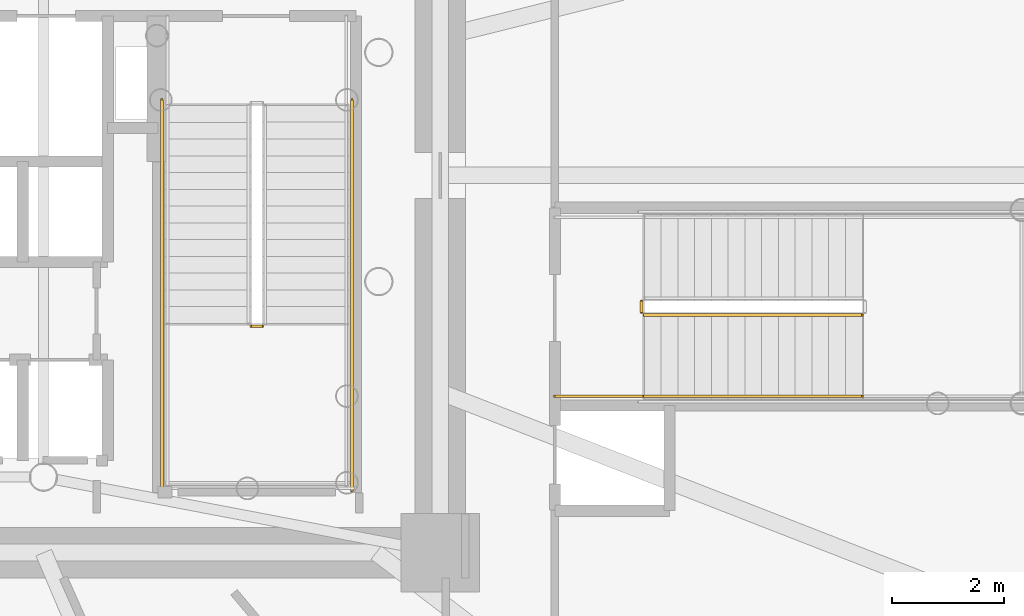
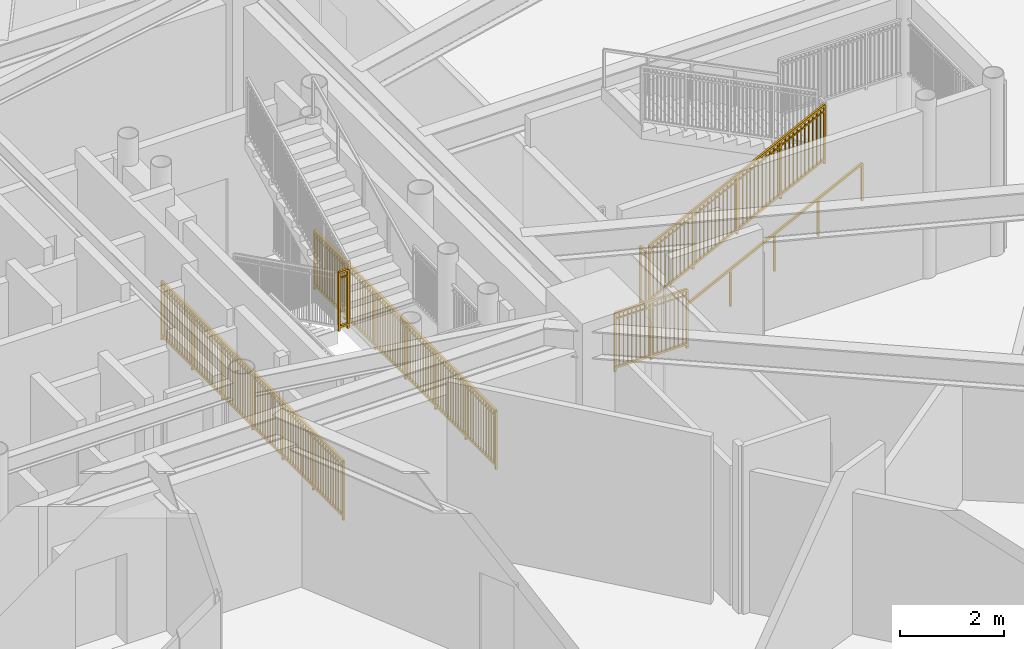
# One storey, part 24 of 28: 7 railings.
"""IFC4 building model written with IfcOpenShell, lengths in metres."""

import ifcopenshell
import ifcopenshell.guid

model = None  # the IFC model being written
_history = None  # IfcOwnerHistory: only IFC2X3 demands one
_inside = {}  # id of a spatial element -> (the spatial element, [elements in it])
_under = {}  # id of a project, library or spatial element -> (it, [spatial elements below it])
_declared = {}  # id of a project -> (the project, [libraries it declares])
_typed = {}  # id of a type object -> (the type object, [elements of that type])
_made_of = {}  # id of a material, layer set ... -> (it, [elements and type objects made of it])


def new_model(schema):
    """Start an empty IFC model of exactly this schema.

    Asked for "IFC4X3", IfcOpenShell would pick the latest addendum, in which some entities
    have other attributes; the version numbers below select the first issue.
    IFC2X3 requires an IfcOwnerHistory on every rooted entity: one is made here for all.
    """
    global model, _history
    if schema == "IFC4X3":
        model = ifcopenshell.file(schema_version=(4, 3, 0, 0))
    else:
        model = ifcopenshell.file(schema=schema)
    _inside.clear()
    _under.clear()
    _declared.clear()
    _typed.clear()
    _made_of.clear()
    _history = None
    if model.schema == "IFC2X3":
        org = make("IfcOrganization", Name="unknown")
        user = make(
            "IfcPersonAndOrganization",
            ThePerson=make("IfcPerson", FamilyName="unknown"),
            TheOrganization=org,
        )
        app = make(
            "IfcApplication",
            ApplicationDeveloper=org,
            Version="unknown",
            ApplicationFullName="unknown",
            ApplicationIdentifier="unknown",
        )
        _history = make(
            "IfcOwnerHistory",
            OwningUser=user,
            OwningApplication=app,
            ChangeAction="ADDED",
            CreationDate=0,
        )
    return model


def make(cls, **values):
    """One entity of the class cls with the attributes given. An attribute that is None is left unset."""
    return model.create_entity(
        cls, **{name: value for name, value in values.items() if value is not None}
    )


def rooted(cls, **values):
    """An entity with a GlobalId (a new one), such as an element, a storey or a relation."""
    return make(cls, GlobalId=ifcopenshell.guid.new(), OwnerHistory=_history, **values)


def si_unit(unit_type, name, prefix=None):
    """IfcSIUnit, for example si_unit("LENGTHUNIT", "METRE", prefix="MILLI")."""
    return make("IfcSIUnit", UnitType=unit_type, Prefix=prefix, Name=name)


def assignment(units):
    """IfcUnitAssignment: the units of a project."""
    return None if units is None else make("IfcUnitAssignment", Units=units)


def point(xyz):
    """IfcCartesianPoint."""
    return None if xyz is None else make("IfcCartesianPoint", Coordinates=xyz)


def direction(xyz):
    """IfcDirection."""
    return None if xyz is None else make("IfcDirection", DirectionRatios=xyz)


def frame(location, z_axis=None, x_axis=None):
    """IfcAxis2Placement3D, a coordinate frame: its origin and axes. An axis left out is left unset."""
    return make(
        "IfcAxis2Placement3D",
        Location=point(location),
        Axis=direction(z_axis),
        RefDirection=direction(x_axis),
    )


def frame_2d(location, x_axis=None):
    """IfcAxis2Placement2D, a coordinate frame in the plane: its origin and x axis."""
    return make(
        "IfcAxis2Placement2D", Location=point(location), RefDirection=direction(x_axis)
    )


def origin():
    """The frame at (0, 0, 0) with its axes left unset."""
    return frame((0.0, 0.0, 0.0))


def origin_2d():
    """The frame at (0, 0) in the plane with its x axis left unset."""
    return frame_2d((0.0, 0.0))


def place(relative_to, where):
    """IfcLocalPlacement: puts the frame where relative to a parent placement (None: the world)."""
    return make(
        "IfcLocalPlacement", PlacementRelTo=relative_to, RelativePlacement=where
    )


def context(
    kind, dimensions, precision=None, world=None, true_north=None, identifier=None
):
    """IfcGeometricRepresentationContext, for example the 3D "Model" context."""
    return make(
        "IfcGeometricRepresentationContext",
        ContextIdentifier=identifier,
        ContextType=kind,
        CoordinateSpaceDimension=dimensions,
        Precision=precision,
        WorldCoordinateSystem=world,
        TrueNorth=true_north,
    )


def subcontext(parent, identifier, kind, view, scale=None):
    """IfcGeometricRepresentationSubContext, for example "Body" below "Model"."""
    return make(
        "IfcGeometricRepresentationSubContext",
        ContextIdentifier=identifier,
        ContextType=kind,
        ParentContext=parent,
        TargetScale=scale,
        TargetView=view,
    )


def project(units=None, contexts=None):
    """IfcProject with its units and contexts."""
    return rooted(
        "IfcProject",
        Name="project",
        RepresentationContexts=contexts,
        UnitsInContext=assignment(units),
    )


def spatial(cls, under=None, at=None, **own):
    """A site, building, storey or space (cls), placed at a placement, below another one or the project."""
    s = rooted(cls, ObjectPlacement=at, **own)
    if under is not None:
        _under.setdefault(under.id(), (under, []))[1].append(s)
    return s


def profile(cls, at=None, kind="AREA", **sizes):
    """A parametric profile (cls). Its sizes go by their IFC names, for example OverallWidth=200.0."""
    return make(cls, ProfileType=kind, Position=at, **sizes)


def rectangle(**sizes):
    """IfcRectangleProfileDef."""
    return profile("IfcRectangleProfileDef", **sizes)


def extrude(swept, where, along, depth):
    """IfcExtrudedAreaSolid: the profile swept, set in the frame where, extruded along a direction by depth."""
    return make(
        "IfcExtrudedAreaSolid",
        SweptArea=swept,
        Position=where,
        ExtrudedDirection=direction(along),
        Depth=depth,
    )


def shape(context_of_items, identifier, shape_type, items):
    """IfcShapeRepresentation: the items that make up one representation, for example the "Body"."""
    return make(
        "IfcShapeRepresentation",
        ContextOfItems=context_of_items,
        RepresentationIdentifier=identifier,
        RepresentationType=shape_type,
        Items=items,
    )


def source(mapping_origin, context_of_items, identifier, shape_type, items):
    """IfcRepresentationMap: a shape defined once, which mapped items show again and again."""
    return make(
        "IfcRepresentationMap",
        MappingOrigin=mapping_origin,
        MappedRepresentation=shape(context_of_items, identifier, shape_type, items),
    )


def transform(
    local_origin,
    x_axis=None,
    y_axis=None,
    z_axis=None,
    scale=None,
    scale2=None,
    scale3=None,
    uniform=True,
):
    """IfcCartesianTransformationOperator3D, or its non-uniform kind. x_axis, y_axis, z_axis: its Axis1, 2, 3."""
    if uniform:
        return make(
            "IfcCartesianTransformationOperator3D",
            Axis1=direction(x_axis),
            Axis2=direction(y_axis),
            LocalOrigin=point(local_origin),
            Scale=scale,
            Axis3=direction(z_axis),
        )
    return make(
        "IfcCartesianTransformationOperator3DnonUniform",
        Axis1=direction(x_axis),
        Axis2=direction(y_axis),
        LocalOrigin=point(local_origin),
        Scale=scale,
        Axis3=direction(z_axis),
        Scale2=scale2,
        Scale3=scale3,
    )


def mapped(mapping_source, mapping_target):
    """IfcMappedItem: shows the shape of a source again, moved by a transform."""
    return make(
        "IfcMappedItem", MappingSource=mapping_source, MappingTarget=mapping_target
    )


def material(Name=None, Category=None):
    """IfcMaterial."""
    return make("IfcMaterial", Name=Name, Category=Category)


def made_of(thing, what):
    """Note that an element or type object is made of a material, layer set ...; save() writes the relation."""
    if what is not None:
        _made_of.setdefault(what.id(), (what, []))[1].append(thing)
    return thing


def type_object(cls, material=None, **own):
    """A type object (cls), such as IfcWallType, which elements share."""
    return made_of(rooted(cls, **own), material)


def element(
    cls,
    number,
    at=None,
    inside=None,
    cuts=None,
    type_object=None,
    material=None,
    context=None,
    identifier="Body",
    shape_type=None,
    held_by="IfcProductDefinitionShape",
    body=None,
    shapes=None,
    **own,
):
    """One element of the class cls, such as IfcWall. Its Tag is "e" and its number.

    at: its placement. inside: the storey or other place that contains it. cuts: it is an
    opening in that element (IfcRelVoidsElement). A single representation is given by context,
    identifier, shape_type and body (its items); several are given by shapes. held_by: the class
    of the entity that holds the representations. save() writes the other relations.
    """
    e = rooted(cls, Tag="e%d" % number, ObjectPlacement=at, **own)
    if body is not None:
        shapes = [shape(context, identifier, shape_type, body)]
    if shapes is not None:
        e.Representation = make(held_by, Representations=shapes)
    if inside is not None:
        _inside.setdefault(inside.id(), (inside, []))[1].append(e)
    if cuts is not None:
        rooted(
            "IfcRelVoidsElement", RelatingBuildingElement=cuts, RelatedOpeningElement=e
        )
    if type_object is not None:
        _typed.setdefault(type_object.id(), (type_object, []))[1].append(e)
    return made_of(e, material)


def aggregate(whole, parts):
    """IfcRelAggregates: a whole, such as a stair, and the parts it consists of."""
    return rooted("IfcRelAggregates", RelatingObject=whole, RelatedObjects=parts)


def save(model, path):
    """Write the relations noted so far, then the file.

    IfcRelAggregates (storeys below a building ...), IfcRelContainedInSpatialStructure (elements
    in a storey), IfcRelDefinesByType, IfcRelAssociatesMaterial and IfcRelDeclares: one each for
    every whole, place, type object, material and project.
    """
    for whole, parts in _under.values():
        aggregate(whole, parts)
    for where, things in _inside.values():
        rooted(
            "IfcRelContainedInSpatialStructure",
            RelatedElements=things,
            RelatingStructure=where,
        )
    for kind, things in _typed.values():
        rooted("IfcRelDefinesByType", RelatedObjects=things, RelatingType=kind)
    for what, things in _made_of.values():
        rooted("IfcRelAssociatesMaterial", RelatedObjects=things, RelatingMaterial=what)
    for by, libraries in _declared.values():
        rooted("IfcRelDeclares", RelatingContext=by, RelatedDefinitions=libraries)
    model.write(path)


model = new_model("IFC4")

# Units and contexts
model_context = context("Model", 3, precision=1e-05, world=origin(), true_north=direction((0.0, 1.0)))
body_context = subcontext(model_context, "Body", "Model", "MODEL_VIEW")
ifc_project = project(units=[si_unit("LENGTHUNIT", "METRE"), si_unit("AREAUNIT", "SQUARE_METRE"), si_unit("VOLUMEUNIT", "CUBIC_METRE"), si_unit("PLANEANGLEUNIT", "RADIAN"), si_unit("MASSUNIT", "GRAM", prefix="KILO")], contexts=[model_context])

# Site, building, storey
site_placement = place(None, origin())
site = spatial("IfcSite", under=ifc_project, at=site_placement, CompositionType="ELEMENT")
building_placement = place(site_placement, origin())
building = spatial("IfcBuilding", under=site, at=building_placement, Name="Linh Dai School and Residence Tower", CompositionType="ELEMENT")
storey_placement = place(building_placement, frame((0.0, 0.0, 36.60009765625)))
storey = spatial("IfcBuildingStorey", under=building, at=storey_placement, Name="L08", CompositionType="ELEMENT", Elevation=36.60009765625)

# Railings
ifc_material_1 = material(Name="Structural Steel S355JR", Category="steel")
railing_type_1 = type_object("IfcRailingType", Name="RL-ST-GUARD-1400", PredefinedType="GUARDRAIL", material=ifc_material_1)
shared_shape_1 = source(origin(), body_context, "Body", "SweptSolid", [
    extrude(rectangle(XDim=0.048095703125, YDim=0.048095703125, at=origin_2d()), frame((0.0, 0.0, 1.3759765625), z_axis=(1.0, 0.0, 0.0), x_axis=(0.0, 1.0, 0.0)), (0.0, 0.0, 1.0), 0.199951171875),
    extrude(rectangle(XDim=0.048095703125, YDim=0.048095703125, at=origin_2d()), frame((0.0, 0.0, 0.10009765625), z_axis=(1.0, 0.0, 0.0), x_axis=(0.0, 1.0, 0.0)), (0.0, 0.0, 1.0), 0.199951171875),
    extrude(rectangle(XDim=0.030029296875, YDim=0.030029296875, at=origin_2d()), frame((0.0, 0.0, 1.239990234375), z_axis=(1.0, 0.0, 0.0), x_axis=(0.0, 1.0, 0.0)), (0.0, 0.0, 1.0), 0.199951171875),
    extrude(rectangle(XDim=0.0419921875, YDim=0.0419921875, at=origin_2d()), origin(), (0.0, 0.0, 1.0), 1.3759765625),
    extrude(rectangle(XDim=0.0419921875, YDim=0.0419921875, at=origin_2d()), frame((0.199951171875, 0.0, 0.0)), (0.0, 0.0, 1.0), 1.3759765625),
])
railing_1_placement = place(storey_placement, frame((42.570068359375, 24.300048828125, 2.099853515625)))
element("IfcRailing", 1, at=railing_1_placement, inside=storey, type_object=railing_type_1, Name="L08 ST2 stair guard 2", PredefinedType="GUARDRAIL", context=body_context, shape_type="MappedRepresentation", body=[
    mapped(shared_shape_1, transform((0.0, 0.0, 0.0), x_axis=(1.0, 0.0, 0.0), y_axis=(0.0, 1.0, 0.0), z_axis=(0.0, 0.0, 1.0), scale=1.0)),
])
shared_shape_2 = source(origin(), body_context, "Body", "SweptSolid", [
    extrude(rectangle(XDim=0.048095703125, YDim=0.048095703125, at=origin_2d()), frame((0.0, 0.0, 1.3759765625), z_axis=(0.0, -1.0, 0.0), x_axis=(1.0, 0.0, 0.0)), (0.0, 0.0, 1.0), 7.0),
    extrude(rectangle(XDim=0.048095703125, YDim=0.048095703125, at=origin_2d()), frame((0.0, 0.0, 0.10009765625), z_axis=(0.0, -1.0, 0.0), x_axis=(1.0, 0.0, 0.0)), (0.0, 0.0, 1.0), 7.0),
    extrude(rectangle(XDim=0.030029296875, YDim=0.030029296875, at=origin_2d()), frame((0.0, 0.0, 1.239990234375), z_axis=(0.0, -1.0, 0.0), x_axis=(1.0, 0.0, 0.0)), (0.0, 0.0, 1.0), 7.0),
    extrude(rectangle(XDim=0.02001953125, YDim=0.02001953125, at=origin_2d()), frame((0.0, -0.09716796875, 0.10009765625)), (0.0, 0.0, 1.0), 1.251708984375),
    extrude(rectangle(XDim=0.02001953125, YDim=0.02001953125, at=origin_2d()), frame((0.0, -0.1943359375, 0.10009765625)), (0.0, 0.0, 1.0), 1.251708984375),
    extrude(rectangle(XDim=0.02001953125, YDim=0.02001953125, at=origin_2d()), frame((0.0, -0.291748046875, 0.10009765625)), (0.0, 0.0, 1.0), 1.251708984375),
    extrude(rectangle(XDim=0.02001953125, YDim=0.02001953125, at=origin_2d()), frame((0.0, -0.388916015625, 0.10009765625)), (0.0, 0.0, 1.0), 1.251708984375),
    extrude(rectangle(XDim=0.02001953125, YDim=0.02001953125, at=origin_2d()), frame((0.0, -0.486083984375, 0.10009765625)), (0.0, 0.0, 1.0), 1.251708984375),
    extrude(rectangle(XDim=0.02001953125, YDim=0.02001953125, at=origin_2d()), frame((0.0, -0.583251953125, 0.10009765625)), (0.0, 0.0, 1.0), 1.251708984375),
    extrude(rectangle(XDim=0.02001953125, YDim=0.02001953125, at=origin_2d()), frame((0.0, -0.6806640625, 0.10009765625)), (0.0, 0.0, 1.0), 1.251708984375),
    extrude(rectangle(XDim=0.02001953125, YDim=0.02001953125, at=origin_2d()), frame((0.0, -0.77783203125, 0.10009765625)), (0.0, 0.0, 1.0), 1.251708984375),
    extrude(rectangle(XDim=0.02001953125, YDim=0.02001953125, at=origin_2d()), frame((0.0, -0.875, 0.10009765625)), (0.0, 0.0, 1.0), 1.251708984375),
    extrude(rectangle(XDim=0.02001953125, YDim=0.02001953125, at=origin_2d()), frame((0.0, -0.97216796875, 0.10009765625)), (0.0, 0.0, 1.0), 1.251708984375),
    extrude(rectangle(XDim=0.02001953125, YDim=0.02001953125, at=origin_2d()), frame((0.0, -1.0693359375, 0.10009765625)), (0.0, 0.0, 1.0), 1.251708984375),
    extrude(rectangle(XDim=0.02001953125, YDim=0.02001953125, at=origin_2d()), frame((0.0, -1.263916015625, 0.10009765625)), (0.0, 0.0, 1.0), 1.251708984375),
    extrude(rectangle(XDim=0.02001953125, YDim=0.02001953125, at=origin_2d()), frame((0.0, -1.361083984375, 0.10009765625)), (0.0, 0.0, 1.0), 1.251708984375),
    extrude(rectangle(XDim=0.02001953125, YDim=0.02001953125, at=origin_2d()), frame((0.0, -1.458251953125, 0.10009765625)), (0.0, 0.0, 1.0), 1.251708984375),
    extrude(rectangle(XDim=0.02001953125, YDim=0.02001953125, at=origin_2d()), frame((0.0, -1.5556640625, 0.10009765625)), (0.0, 0.0, 1.0), 1.251708984375),
    extrude(rectangle(XDim=0.02001953125, YDim=0.02001953125, at=origin_2d()), frame((0.0, -1.65283203125, 0.10009765625)), (0.0, 0.0, 1.0), 1.251708984375),
    extrude(rectangle(XDim=0.02001953125, YDim=0.02001953125, at=origin_2d()), frame((0.0, -1.75, 0.10009765625)), (0.0, 0.0, 1.0), 1.251708984375),
    extrude(rectangle(XDim=0.02001953125, YDim=0.02001953125, at=origin_2d()), frame((0.0, -1.84716796875, 0.10009765625)), (0.0, 0.0, 1.0), 1.251708984375),
    extrude(rectangle(XDim=0.02001953125, YDim=0.02001953125, at=origin_2d()), frame((0.0, -1.9443359375, 0.10009765625)), (0.0, 0.0, 1.0), 1.251708984375),
    extrude(rectangle(XDim=0.02001953125, YDim=0.02001953125, at=origin_2d()), frame((0.0, -2.041748046875, 0.10009765625)), (0.0, 0.0, 1.0), 1.251708984375),
    extrude(rectangle(XDim=0.02001953125, YDim=0.02001953125, at=origin_2d()), frame((0.0, -2.138916015625, 0.10009765625)), (0.0, 0.0, 1.0), 1.251708984375),
    extrude(rectangle(XDim=0.02001953125, YDim=0.02001953125, at=origin_2d()), frame((0.0, -2.236083984375, 0.10009765625)), (0.0, 0.0, 1.0), 1.251708984375),
    extrude(rectangle(XDim=0.02001953125, YDim=0.02001953125, at=origin_2d()), frame((0.0, -2.4306640625, 0.10009765625)), (0.0, 0.0, 1.0), 1.251708984375),
    extrude(rectangle(XDim=0.02001953125, YDim=0.02001953125, at=origin_2d()), frame((0.0, -2.52783203125, 0.10009765625)), (0.0, 0.0, 1.0), 1.251708984375),
    extrude(rectangle(XDim=0.02001953125, YDim=0.02001953125, at=origin_2d()), frame((0.0, -2.625, 0.10009765625)), (0.0, 0.0, 1.0), 1.251708984375),
    extrude(rectangle(XDim=0.02001953125, YDim=0.02001953125, at=origin_2d()), frame((0.0, -2.72216796875, 0.10009765625)), (0.0, 0.0, 1.0), 1.251708984375),
    extrude(rectangle(XDim=0.02001953125, YDim=0.02001953125, at=origin_2d()), frame((0.0, -2.8193359375, 0.10009765625)), (0.0, 0.0, 1.0), 1.251708984375),
    extrude(rectangle(XDim=0.02001953125, YDim=0.02001953125, at=origin_2d()), frame((0.0, -2.916748046875, 0.10009765625)), (0.0, 0.0, 1.0), 1.251708984375),
    extrude(rectangle(XDim=0.02001953125, YDim=0.02001953125, at=origin_2d()), frame((0.0, -3.013916015625, 0.10009765625)), (0.0, 0.0, 1.0), 1.251708984375),
    extrude(rectangle(XDim=0.02001953125, YDim=0.02001953125, at=origin_2d()), frame((0.0, -3.111083984375, 0.10009765625)), (0.0, 0.0, 1.0), 1.251708984375),
    extrude(rectangle(XDim=0.02001953125, YDim=0.02001953125, at=origin_2d()), frame((0.0, -3.208251953125, 0.10009765625)), (0.0, 0.0, 1.0), 1.251708984375),
    extrude(rectangle(XDim=0.02001953125, YDim=0.02001953125, at=origin_2d()), frame((0.0, -3.3056640625, 0.10009765625)), (0.0, 0.0, 1.0), 1.251708984375),
    extrude(rectangle(XDim=0.02001953125, YDim=0.02001953125, at=origin_2d()), frame((0.0, -3.40283203125, 0.10009765625)), (0.0, 0.0, 1.0), 1.251708984375),
    extrude(rectangle(XDim=0.02001953125, YDim=0.02001953125, at=origin_2d()), frame((0.0, -3.59716796875, 0.10009765625)), (0.0, 0.0, 1.0), 1.251708984375),
    extrude(rectangle(XDim=0.02001953125, YDim=0.02001953125, at=origin_2d()), frame((0.0, -3.6943359375, 0.10009765625)), (0.0, 0.0, 1.0), 1.251708984375),
    extrude(rectangle(XDim=0.02001953125, YDim=0.02001953125, at=origin_2d()), frame((0.0, -3.791748046875, 0.10009765625)), (0.0, 0.0, 1.0), 1.251708984375),
    extrude(rectangle(XDim=0.02001953125, YDim=0.02001953125, at=origin_2d()), frame((0.0, -3.888916015625, 0.10009765625)), (0.0, 0.0, 1.0), 1.251708984375),
    extrude(rectangle(XDim=0.02001953125, YDim=0.02001953125, at=origin_2d()), frame((0.0, -3.986083984375, 0.10009765625)), (0.0, 0.0, 1.0), 1.251708984375),
    extrude(rectangle(XDim=0.02001953125, YDim=0.02001953125, at=origin_2d()), frame((0.0, -4.083251953125, 0.10009765625)), (0.0, 0.0, 1.0), 1.251708984375),
    extrude(rectangle(XDim=0.02001953125, YDim=0.02001953125, at=origin_2d()), frame((0.0, -4.1806640625, 0.10009765625)), (0.0, 0.0, 1.0), 1.251708984375),
    extrude(rectangle(XDim=0.02001953125, YDim=0.02001953125, at=origin_2d()), frame((0.0, -4.27783203125, 0.10009765625)), (0.0, 0.0, 1.0), 1.251708984375),
    extrude(rectangle(XDim=0.02001953125, YDim=0.02001953125, at=origin_2d()), frame((0.0, -4.375, 0.10009765625)), (0.0, 0.0, 1.0), 1.251708984375),
    extrude(rectangle(XDim=0.02001953125, YDim=0.02001953125, at=origin_2d()), frame((0.0, -4.47216796875, 0.10009765625)), (0.0, 0.0, 1.0), 1.251708984375),
    extrude(rectangle(XDim=0.02001953125, YDim=0.02001953125, at=origin_2d()), frame((0.0, -4.5693359375, 0.10009765625)), (0.0, 0.0, 1.0), 1.251708984375),
    extrude(rectangle(XDim=0.02001953125, YDim=0.02001953125, at=origin_2d()), frame((0.0, -4.763916015625, 0.10009765625)), (0.0, 0.0, 1.0), 1.251708984375),
    extrude(rectangle(XDim=0.02001953125, YDim=0.02001953125, at=origin_2d()), frame((0.0, -4.861083984375, 0.10009765625)), (0.0, 0.0, 1.0), 1.251708984375),
    extrude(rectangle(XDim=0.02001953125, YDim=0.02001953125, at=origin_2d()), frame((0.0, -4.958251953125, 0.10009765625)), (0.0, 0.0, 1.0), 1.251708984375),
    extrude(rectangle(XDim=0.02001953125, YDim=0.02001953125, at=origin_2d()), frame((0.0, -5.0556640625, 0.10009765625)), (0.0, 0.0, 1.0), 1.251708984375),
    extrude(rectangle(XDim=0.02001953125, YDim=0.02001953125, at=origin_2d()), frame((0.0, -5.15283203125, 0.10009765625)), (0.0, 0.0, 1.0), 1.251708984375),
    extrude(rectangle(XDim=0.02001953125, YDim=0.02001953125, at=origin_2d()), frame((0.0, -5.25, 0.10009765625)), (0.0, 0.0, 1.0), 1.251708984375),
    extrude(rectangle(XDim=0.02001953125, YDim=0.02001953125, at=origin_2d()), frame((0.0, -5.34716796875, 0.10009765625)), (0.0, 0.0, 1.0), 1.251708984375),
    extrude(rectangle(XDim=0.02001953125, YDim=0.02001953125, at=origin_2d()), frame((0.0, -5.4443359375, 0.10009765625)), (0.0, 0.0, 1.0), 1.251708984375),
    extrude(rectangle(XDim=0.02001953125, YDim=0.02001953125, at=origin_2d()), frame((0.0, -5.541748046875, 0.10009765625)), (0.0, 0.0, 1.0), 1.251708984375),
    extrude(rectangle(XDim=0.02001953125, YDim=0.02001953125, at=origin_2d()), frame((0.0, -5.638916015625, 0.10009765625)), (0.0, 0.0, 1.0), 1.251708984375),
    extrude(rectangle(XDim=0.02001953125, YDim=0.02001953125, at=origin_2d()), frame((0.0, -5.736083984375, 0.10009765625)), (0.0, 0.0, 1.0), 1.251708984375),
    extrude(rectangle(XDim=0.02001953125, YDim=0.02001953125, at=origin_2d()), frame((0.0, -5.9306640625, 0.10009765625)), (0.0, 0.0, 1.0), 1.251708984375),
    extrude(rectangle(XDim=0.02001953125, YDim=0.02001953125, at=origin_2d()), frame((0.0, -6.02783203125, 0.10009765625)), (0.0, 0.0, 1.0), 1.251708984375),
    extrude(rectangle(XDim=0.02001953125, YDim=0.02001953125, at=origin_2d()), frame((0.0, -6.125, 0.10009765625)), (0.0, 0.0, 1.0), 1.251708984375),
    extrude(rectangle(XDim=0.02001953125, YDim=0.02001953125, at=origin_2d()), frame((0.0, -6.22216796875, 0.10009765625)), (0.0, 0.0, 1.0), 1.251708984375),
    extrude(rectangle(XDim=0.02001953125, YDim=0.02001953125, at=origin_2d()), frame((0.0, -6.3193359375, 0.10009765625)), (0.0, 0.0, 1.0), 1.251708984375),
    extrude(rectangle(XDim=0.02001953125, YDim=0.02001953125, at=origin_2d()), frame((0.0, -6.416748046875, 0.10009765625)), (0.0, 0.0, 1.0), 1.251708984375),
    extrude(rectangle(XDim=0.02001953125, YDim=0.02001953125, at=origin_2d()), frame((0.0, -6.513916015625, 0.10009765625)), (0.0, 0.0, 1.0), 1.251708984375),
    extrude(rectangle(XDim=0.02001953125, YDim=0.02001953125, at=origin_2d()), frame((0.0, -6.611083984375, 0.10009765625)), (0.0, 0.0, 1.0), 1.251708984375),
    extrude(rectangle(XDim=0.02001953125, YDim=0.02001953125, at=origin_2d()), frame((0.0, -6.708251953125, 0.10009765625)), (0.0, 0.0, 1.0), 1.251708984375),
    extrude(rectangle(XDim=0.02001953125, YDim=0.02001953125, at=origin_2d()), frame((0.0, -6.8056640625, 0.10009765625)), (0.0, 0.0, 1.0), 1.251708984375),
    extrude(rectangle(XDim=0.02001953125, YDim=0.02001953125, at=origin_2d()), frame((0.0, -6.90283203125, 0.10009765625)), (0.0, 0.0, 1.0), 1.251708984375),
    extrude(rectangle(XDim=0.0419921875, YDim=0.0419921875, at=origin_2d()), origin(), (0.0, 0.0, 1.0), 1.3759765625),
    extrude(rectangle(XDim=0.0419921875, YDim=0.0419921875, at=origin_2d()), frame((0.0, -1.166748046875, 0.0)), (0.0, 0.0, 1.0), 1.3759765625),
    extrude(rectangle(XDim=0.0419921875, YDim=0.0419921875, at=origin_2d()), frame((0.0, -2.333251953125, 0.0)), (0.0, 0.0, 1.0), 1.3759765625),
    extrude(rectangle(XDim=0.0419921875, YDim=0.0419921875, at=origin_2d()), frame((0.0, -3.5, 0.0)), (0.0, 0.0, 1.0), 1.3759765625),
    extrude(rectangle(XDim=0.0419921875, YDim=0.0419921875, at=origin_2d()), frame((0.0, -4.666748046875, 0.0)), (0.0, 0.0, 1.0), 1.3759765625),
    extrude(rectangle(XDim=0.0419921875, YDim=0.0419921875, at=origin_2d()), frame((0.0, -5.833251953125, 0.0)), (0.0, 0.0, 1.0), 1.3759765625),
    extrude(rectangle(XDim=0.0419921875, YDim=0.0419921875, at=origin_2d()), frame((0.0, -7.0, 0.0)), (0.0, 0.0, 1.0), 1.3759765625),
])
for number, where, name in (
    (2, (40.969970703125, 28.35009765625, 0.0), "L08 ST2 stair guard 10"),
    (3, (44.3701171875, 28.35009765625, 0.0), "L08 ST2 stair guard 11"),
):
    element("IfcRailing", number, at=place(storey_placement, frame(where)), inside=storey, type_object=railing_type_1, Name=name, PredefinedType="GUARDRAIL", context=body_context, shape_type="MappedRepresentation", body=[
        mapped(shared_shape_2, transform((0.0, 0.0, 0.0), x_axis=(1.0, 0.0, 0.0), y_axis=(0.0, 1.0, 0.0), z_axis=(0.0, 0.0, 1.0), scale=1.0)),
    ])
shared_shape_3 = source(origin(), body_context, "Body", "SweptSolid", [
    extrude(rectangle(XDim=0.048095703125, YDim=0.048095703125, at=origin_2d()), frame((0.0, 0.0, 1.3759765625), z_axis=(0.894427191, 0.0, 0.4472135955), x_axis=(0.0, 1.0, 0.0)), (0.0, 0.0, 1.0), 4.360107421875),
    extrude(rectangle(XDim=0.048095703125, YDim=0.048095703125, at=origin_2d()), frame((0.0, 0.0, 0.10009765625), z_axis=(0.894427191, 0.0, 0.4472135955), x_axis=(0.0, 1.0, 0.0)), (0.0, 0.0, 1.0), 4.360107421875),
    extrude(rectangle(XDim=0.030029296875, YDim=0.030029296875, at=origin_2d()), frame((0.0, 0.0, 1.239990234375), z_axis=(0.894427191, 0.0, 0.4472135955), x_axis=(0.0, 1.0, 0.0)), (0.0, 0.0, 1.0), 4.360107421875),
    extrude(rectangle(XDim=0.02001953125, YDim=0.02001953125, at=origin_2d()), frame((0.086669921875, 0.0, 0.143310546875)), (0.0, 0.0, 1.0), 1.251708984375),
    extrude(rectangle(XDim=0.02001953125, YDim=0.02001953125, at=origin_2d()), frame((0.17333984375, 0.0, 0.186767578125)), (0.0, 0.0, 1.0), 1.251708984375),
    extrude(rectangle(XDim=0.02001953125, YDim=0.02001953125, at=origin_2d()), frame((0.260009765625, 0.0, 0.22998046875)), (0.0, 0.0, 1.0), 1.251708984375),
    extrude(rectangle(XDim=0.02001953125, YDim=0.02001953125, at=origin_2d()), frame((0.3466796875, 0.0, 0.2734375)), (0.0, 0.0, 1.0), 1.251708984375),
    extrude(rectangle(XDim=0.02001953125, YDim=0.02001953125, at=origin_2d()), frame((0.433349609375, 0.0, 0.316650390625)), (0.0, 0.0, 1.0), 1.251708984375),
    extrude(rectangle(XDim=0.02001953125, YDim=0.02001953125, at=origin_2d()), frame((0.52001953125, 0.0, 0.360107421875)), (0.0, 0.0, 1.0), 1.251708984375),
    extrude(rectangle(XDim=0.02001953125, YDim=0.02001953125, at=origin_2d()), frame((0.606689453125, 0.0, 0.4033203125)), (0.0, 0.0, 1.0), 1.251708984375),
    extrude(rectangle(XDim=0.02001953125, YDim=0.02001953125, at=origin_2d()), frame((0.693359375, 0.0, 0.44677734375)), (0.0, 0.0, 1.0), 1.251708984375),
    extrude(rectangle(XDim=0.02001953125, YDim=0.02001953125, at=origin_2d()), frame((0.780029296875, 0.0, 0.489990234375)), (0.0, 0.0, 1.0), 1.251708984375),
    extrude(rectangle(XDim=0.02001953125, YDim=0.02001953125, at=origin_2d()), frame((0.86669921875, 0.0, 0.533447265625)), (0.0, 0.0, 1.0), 1.251708984375),
    extrude(rectangle(XDim=0.02001953125, YDim=0.02001953125, at=origin_2d()), frame((1.0400390625, 0.0, 0.6201171875)), (0.0, 0.0, 1.0), 1.251708984375),
    extrude(rectangle(XDim=0.02001953125, YDim=0.02001953125, at=origin_2d()), frame((1.126708984375, 0.0, 0.663330078125)), (0.0, 0.0, 1.0), 1.251708984375),
    extrude(rectangle(XDim=0.02001953125, YDim=0.02001953125, at=origin_2d()), frame((1.21337890625, 0.0, 0.706787109375)), (0.0, 0.0, 1.0), 1.251708984375),
    extrude(rectangle(XDim=0.02001953125, YDim=0.02001953125, at=origin_2d()), frame((1.300048828125, 0.0, 0.75)), (0.0, 0.0, 1.0), 1.251708984375),
    extrude(rectangle(XDim=0.02001953125, YDim=0.02001953125, at=origin_2d()), frame((1.38671875, 0.0, 0.79345703125)), (0.0, 0.0, 1.0), 1.251708984375),
    extrude(rectangle(XDim=0.02001953125, YDim=0.02001953125, at=origin_2d()), frame((1.473388671875, 0.0, 0.836669921875)), (0.0, 0.0, 1.0), 1.251708984375),
    extrude(rectangle(XDim=0.02001953125, YDim=0.02001953125, at=origin_2d()), frame((1.56005859375, 0.0, 0.880126953125)), (0.0, 0.0, 1.0), 1.251708984375),
    extrude(rectangle(XDim=0.02001953125, YDim=0.02001953125, at=origin_2d()), frame((1.646728515625, 0.0, 0.92333984375)), (0.0, 0.0, 1.0), 1.251708984375),
    extrude(rectangle(XDim=0.02001953125, YDim=0.02001953125, at=origin_2d()), frame((1.7333984375, 0.0, 0.966796875)), (0.0, 0.0, 1.0), 1.251708984375),
    extrude(rectangle(XDim=0.02001953125, YDim=0.02001953125, at=origin_2d()), frame((1.820068359375, 0.0, 1.010009765625)), (0.0, 0.0, 1.0), 1.251708984375),
    extrude(rectangle(XDim=0.02001953125, YDim=0.02001953125, at=origin_2d()), frame((1.90673828125, 0.0, 1.053466796875)), (0.0, 0.0, 1.0), 1.251708984375),
    extrude(rectangle(XDim=0.02001953125, YDim=0.02001953125, at=origin_2d()), frame((1.9931640625, 0.0, 1.0966796875)), (0.0, 0.0, 1.0), 1.251708984375),
    extrude(rectangle(XDim=0.02001953125, YDim=0.02001953125, at=origin_2d()), frame((2.079833984375, 0.0, 1.14013671875)), (0.0, 0.0, 1.0), 1.251708984375),
    extrude(rectangle(XDim=0.02001953125, YDim=0.02001953125, at=origin_2d()), frame((2.16650390625, 0.0, 1.183349609375)), (0.0, 0.0, 1.0), 1.251708984375),
    extrude(rectangle(XDim=0.02001953125, YDim=0.02001953125, at=origin_2d()), frame((2.253173828125, 0.0, 1.226806640625)), (0.0, 0.0, 1.0), 1.251708984375),
    extrude(rectangle(XDim=0.02001953125, YDim=0.02001953125, at=origin_2d()), frame((2.33984375, 0.0, 1.27001953125)), (0.0, 0.0, 1.0), 1.251708984375),
    extrude(rectangle(XDim=0.02001953125, YDim=0.02001953125, at=origin_2d()), frame((2.426513671875, 0.0, 1.3134765625)), (0.0, 0.0, 1.0), 1.251708984375),
    extrude(rectangle(XDim=0.02001953125, YDim=0.02001953125, at=origin_2d()), frame((2.51318359375, 0.0, 1.356689453125)), (0.0, 0.0, 1.0), 1.251708984375),
    extrude(rectangle(XDim=0.02001953125, YDim=0.02001953125, at=origin_2d()), frame((2.599853515625, 0.0, 1.400146484375)), (0.0, 0.0, 1.0), 1.251708984375),
    extrude(rectangle(XDim=0.02001953125, YDim=0.02001953125, at=origin_2d()), frame((2.6865234375, 0.0, 1.443359375)), (0.0, 0.0, 1.0), 1.251708984375),
    extrude(rectangle(XDim=0.02001953125, YDim=0.02001953125, at=origin_2d()), frame((2.773193359375, 0.0, 1.48681640625)), (0.0, 0.0, 1.0), 1.251708984375),
    extrude(rectangle(XDim=0.02001953125, YDim=0.02001953125, at=origin_2d()), frame((2.85986328125, 0.0, 1.530029296875)), (0.0, 0.0, 1.0), 1.251708984375),
    extrude(rectangle(XDim=0.02001953125, YDim=0.02001953125, at=origin_2d()), frame((3.033203125, 0.0, 1.61669921875)), (0.0, 0.0, 1.0), 1.251708984375),
    extrude(rectangle(XDim=0.02001953125, YDim=0.02001953125, at=origin_2d()), frame((3.119873046875, 0.0, 1.66015625)), (0.0, 0.0, 1.0), 1.251708984375),
    extrude(rectangle(XDim=0.02001953125, YDim=0.02001953125, at=origin_2d()), frame((3.20654296875, 0.0, 1.703369140625)), (0.0, 0.0, 1.0), 1.251708984375),
    extrude(rectangle(XDim=0.02001953125, YDim=0.02001953125, at=origin_2d()), frame((3.293212890625, 0.0, 1.746826171875)), (0.0, 0.0, 1.0), 1.251708984375),
    extrude(rectangle(XDim=0.02001953125, YDim=0.02001953125, at=origin_2d()), frame((3.3798828125, 0.0, 1.7900390625)), (0.0, 0.0, 1.0), 1.251708984375),
    extrude(rectangle(XDim=0.02001953125, YDim=0.02001953125, at=origin_2d()), frame((3.466552734375, 0.0, 1.83349609375)), (0.0, 0.0, 1.0), 1.251708984375),
    extrude(rectangle(XDim=0.02001953125, YDim=0.02001953125, at=origin_2d()), frame((3.55322265625, 0.0, 1.876708984375)), (0.0, 0.0, 1.0), 1.251708984375),
    extrude(rectangle(XDim=0.02001953125, YDim=0.02001953125, at=origin_2d()), frame((3.639892578125, 0.0, 1.920166015625)), (0.0, 0.0, 1.0), 1.251708984375),
    extrude(rectangle(XDim=0.02001953125, YDim=0.02001953125, at=origin_2d()), frame((3.7265625, 0.0, 1.96337890625)), (0.0, 0.0, 1.0), 1.251708984375),
    extrude(rectangle(XDim=0.02001953125, YDim=0.02001953125, at=origin_2d()), frame((3.813232421875, 0.0, 2.0068359375)), (0.0, 0.0, 1.0), 1.251708984375),
    extrude(rectangle(XDim=0.0419921875, YDim=0.0419921875, at=origin_2d()), origin(), (0.0, 0.0, 1.0), 1.3759765625),
    extrude(rectangle(XDim=0.0419921875, YDim=0.0419921875, at=origin_2d()), frame((0.97509765625, 0.0, 0.487548828125)), (0.0, 0.0, 1.0), 1.3759765625),
    extrude(rectangle(XDim=0.0419921875, YDim=0.0419921875, at=origin_2d()), frame((1.949951171875, 0.0, 0.97509765625)), (0.0, 0.0, 1.0), 1.3759765625),
    extrude(rectangle(XDim=0.0419921875, YDim=0.0419921875, at=origin_2d()), frame((2.9248046875, 0.0, 1.46240234375)), (0.0, 0.0, 1.0), 1.3759765625),
    extrude(rectangle(XDim=0.0419921875, YDim=0.0419921875, at=origin_2d()), frame((3.89990234375, 0.0, 1.949951171875)), (0.0, 0.0, 1.0), 1.3759765625),
])
railing_2_placement = place(storey_placement, frame((49.60009765625, 24.5, 0.14990234375)))
element("IfcRailing", 4, at=railing_2_placement, inside=storey, type_object=railing_type_1, Name="L08 STS2 stair guard 1", PredefinedType="GUARDRAIL", context=body_context, shape_type="MappedRepresentation", body=[
    mapped(shared_shape_3, transform((0.0, 0.0, 0.0), x_axis=(1.0, 0.0, 0.0), y_axis=(0.0, 1.0, 0.0), z_axis=(0.0, 0.0, 1.0), scale=1.0)),
])
ifc_material_2 = material(Name="Brushed Stainless Steel Handrail", Category="steel")
railing_type_2 = type_object("IfcRailingType", Name="RL-ST-HANDRAIL-900", PredefinedType="HANDRAIL", material=ifc_material_2)
shared_shape_4 = source(origin(), body_context, "Body", "SweptSolid", [
    extrude(rectangle(XDim=0.048095703125, YDim=0.048095703125, at=origin_2d()), frame((0.0, 0.0, 0.8759765625), z_axis=(0.894427191, 0.0, 0.4472135955), x_axis=(0.0, 1.0, 0.0)), (0.0, 0.0, 1.0), 4.360107421875),
    extrude(rectangle(XDim=0.0419921875, YDim=0.0419921875, at=origin_2d()), origin(), (0.0, 0.0, 1.0), 0.8759765625),
    extrude(rectangle(XDim=0.0419921875, YDim=0.0419921875, at=origin_2d()), frame((0.97509765625, 0.0, 0.487548828125)), (0.0, 0.0, 1.0), 0.8759765625),
    extrude(rectangle(XDim=0.0419921875, YDim=0.0419921875, at=origin_2d()), frame((1.949951171875, 0.0, 0.97509765625)), (0.0, 0.0, 1.0), 0.8759765625),
    extrude(rectangle(XDim=0.0419921875, YDim=0.0419921875, at=origin_2d()), frame((2.9248046875, 0.0, 1.46240234375)), (0.0, 0.0, 1.0), 0.8759765625),
    extrude(rectangle(XDim=0.0419921875, YDim=0.0419921875, at=origin_2d()), frame((3.89990234375, 0.0, 1.949951171875)), (0.0, 0.0, 1.0), 0.8759765625),
])
railing_3_placement = place(storey_placement, frame((49.60009765625, 23.050048828125, 0.14990234375)))
element("IfcRailing", 5, at=railing_3_placement, inside=storey, type_object=railing_type_2, Name="L08 STS2 stair handrail 1", PredefinedType="HANDRAIL", context=body_context, shape_type="MappedRepresentation", body=[
    mapped(shared_shape_4, transform((0.0, 0.0, 0.0), x_axis=(1.0, 0.0, 0.0), y_axis=(0.0, 1.0, 0.0), z_axis=(0.0, 0.0, 1.0), scale=1.0)),
])
shared_shape_5 = source(origin(), body_context, "Body", "SweptSolid", [
    extrude(rectangle(XDim=0.048095703125, YDim=0.048095703125, at=origin_2d()), frame((0.0, 0.0, 1.3759765625), z_axis=(0.0, 1.0, 0.0), x_axis=(-1.0, 0.0, 0.0)), (0.0, 0.0, 1.0), 0.199951171875),
    extrude(rectangle(XDim=0.048095703125, YDim=0.048095703125, at=origin_2d()), frame((0.0, 0.0, 0.10009765625), z_axis=(0.0, 1.0, 0.0), x_axis=(-1.0, 0.0, 0.0)), (0.0, 0.0, 1.0), 0.199951171875),
    extrude(rectangle(XDim=0.030029296875, YDim=0.030029296875, at=origin_2d()), frame((0.0, 0.0, 1.239990234375), z_axis=(0.0, 1.0, 0.0), x_axis=(-1.0, 0.0, 0.0)), (0.0, 0.0, 1.0), 0.199951171875),
    extrude(rectangle(XDim=0.0419921875, YDim=0.0419921875, at=origin_2d()), origin(), (0.0, 0.0, 1.0), 1.3759765625),
    extrude(rectangle(XDim=0.0419921875, YDim=0.0419921875, at=origin_2d()), frame((0.0, 0.199951171875, 0.0)), (0.0, 0.0, 1.0), 1.3759765625),
])
railing_4_placement = place(storey_placement, frame((49.550048828125, 24.550048828125, 0.0)))
element("IfcRailing", 6, at=railing_4_placement, inside=storey, type_object=railing_type_1, Name="L08 STS2 stair guard 7", PredefinedType="GUARDRAIL", context=body_context, shape_type="MappedRepresentation", body=[
    mapped(shared_shape_5, transform((0.0, 0.0, 0.0), x_axis=(1.0, 0.0, 0.0), y_axis=(0.0, 1.0, 0.0), z_axis=(0.0, 0.0, 1.0), scale=1.0)),
])
shared_shape_6 = source(origin(), body_context, "Body", "SweptSolid", [
    extrude(rectangle(XDim=0.048095703125, YDim=0.048095703125, at=origin_2d()), frame((0.0, 0.0, 1.3759765625), z_axis=(1.0, 0.0, 0.0), x_axis=(0.0, 1.0, 0.0)), (0.0, 0.0, 1.0), 1.60009765625),
    extrude(rectangle(XDim=0.048095703125, YDim=0.048095703125, at=origin_2d()), frame((0.0, 0.0, 0.10009765625), z_axis=(1.0, 0.0, 0.0), x_axis=(0.0, 1.0, 0.0)), (0.0, 0.0, 1.0), 1.60009765625),
    extrude(rectangle(XDim=0.030029296875, YDim=0.030029296875, at=origin_2d()), frame((0.0, 0.0, 1.239990234375), z_axis=(1.0, 0.0, 0.0), x_axis=(0.0, 1.0, 0.0)), (0.0, 0.0, 1.0), 1.60009765625),
    extrude(rectangle(XDim=0.02001953125, YDim=0.02001953125, at=origin_2d()), frame((0.09423828125, 0.0, 0.10009765625)), (0.0, 0.0, 1.0), 1.251708984375),
    extrude(rectangle(XDim=0.02001953125, YDim=0.02001953125, at=origin_2d()), frame((0.188232421875, 0.0, 0.10009765625)), (0.0, 0.0, 1.0), 1.251708984375),
    extrude(rectangle(XDim=0.02001953125, YDim=0.02001953125, at=origin_2d()), frame((0.282470703125, 0.0, 0.10009765625)), (0.0, 0.0, 1.0), 1.251708984375),
    extrude(rectangle(XDim=0.02001953125, YDim=0.02001953125, at=origin_2d()), frame((0.37646484375, 0.0, 0.10009765625)), (0.0, 0.0, 1.0), 1.251708984375),
    extrude(rectangle(XDim=0.02001953125, YDim=0.02001953125, at=origin_2d()), frame((0.470703125, 0.0, 0.10009765625)), (0.0, 0.0, 1.0), 1.251708984375),
    extrude(rectangle(XDim=0.02001953125, YDim=0.02001953125, at=origin_2d()), frame((0.564697265625, 0.0, 0.10009765625)), (0.0, 0.0, 1.0), 1.251708984375),
    extrude(rectangle(XDim=0.02001953125, YDim=0.02001953125, at=origin_2d()), frame((0.658935546875, 0.0, 0.10009765625)), (0.0, 0.0, 1.0), 1.251708984375),
    extrude(rectangle(XDim=0.02001953125, YDim=0.02001953125, at=origin_2d()), frame((0.7529296875, 0.0, 0.10009765625)), (0.0, 0.0, 1.0), 1.251708984375),
    extrude(rectangle(XDim=0.02001953125, YDim=0.02001953125, at=origin_2d()), frame((0.84716796875, 0.0, 0.10009765625)), (0.0, 0.0, 1.0), 1.251708984375),
    extrude(rectangle(XDim=0.02001953125, YDim=0.02001953125, at=origin_2d()), frame((0.941162109375, 0.0, 0.10009765625)), (0.0, 0.0, 1.0), 1.251708984375),
    extrude(rectangle(XDim=0.02001953125, YDim=0.02001953125, at=origin_2d()), frame((1.035400390625, 0.0, 0.10009765625)), (0.0, 0.0, 1.0), 1.251708984375),
    extrude(rectangle(XDim=0.02001953125, YDim=0.02001953125, at=origin_2d()), frame((1.12939453125, 0.0, 0.10009765625)), (0.0, 0.0, 1.0), 1.251708984375),
    extrude(rectangle(XDim=0.02001953125, YDim=0.02001953125, at=origin_2d()), frame((1.2236328125, 0.0, 0.10009765625)), (0.0, 0.0, 1.0), 1.251708984375),
    extrude(rectangle(XDim=0.02001953125, YDim=0.02001953125, at=origin_2d()), frame((1.317626953125, 0.0, 0.10009765625)), (0.0, 0.0, 1.0), 1.251708984375),
    extrude(rectangle(XDim=0.02001953125, YDim=0.02001953125, at=origin_2d()), frame((1.411865234375, 0.0, 0.10009765625)), (0.0, 0.0, 1.0), 1.251708984375),
    extrude(rectangle(XDim=0.02001953125, YDim=0.02001953125, at=origin_2d()), frame((1.505859375, 0.0, 0.10009765625)), (0.0, 0.0, 1.0), 1.251708984375),
    extrude(rectangle(XDim=0.0419921875, YDim=0.0419921875, at=origin_2d()), origin(), (0.0, 0.0, 1.0), 1.3759765625),
    extrude(rectangle(XDim=0.0419921875, YDim=0.0419921875, at=origin_2d()), frame((0.800048828125, 0.0, 0.0)), (0.0, 0.0, 1.0), 1.3759765625),
    extrude(rectangle(XDim=0.0419921875, YDim=0.0419921875, at=origin_2d()), frame((1.60009765625, 0.0, 0.0)), (0.0, 0.0, 1.0), 1.3759765625),
])
railing_5_placement = place(storey_placement, frame((48.0, 23.050048828125, 0.0)))
element("IfcRailing", 7, at=railing_5_placement, inside=storey, type_object=railing_type_1, Name="L08 STS2 stair guard 8", PredefinedType="GUARDRAIL", context=body_context, shape_type="MappedRepresentation", body=[
    mapped(shared_shape_6, transform((0.0, 0.0, 0.0), x_axis=(1.0, 0.0, 0.0), y_axis=(0.0, 1.0, 0.0), z_axis=(0.0, 0.0, 1.0), scale=1.0)),
])

save(model, "model.ifc")
